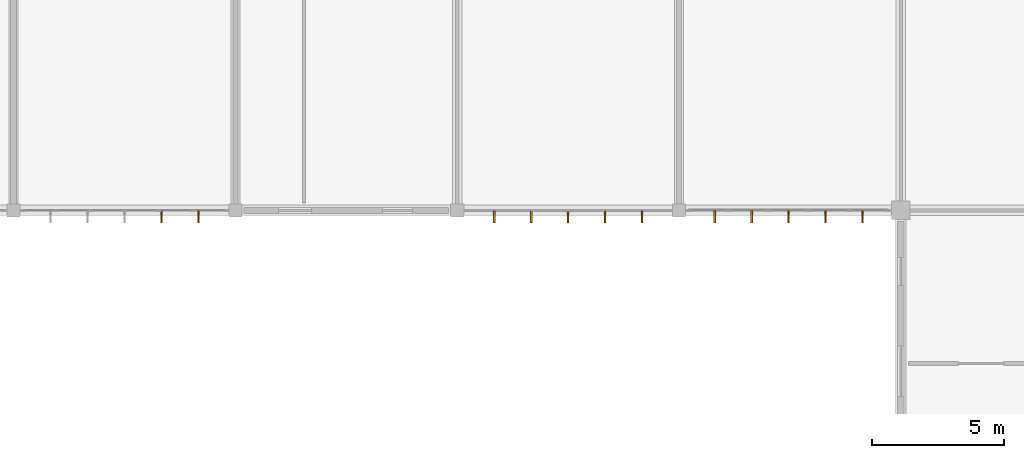
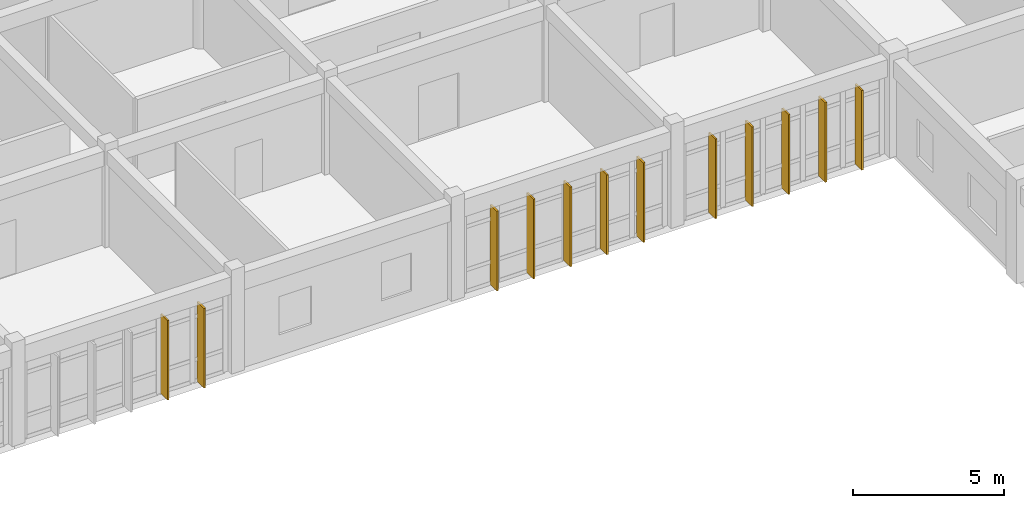
# One storey, part 106 of 119: 12 shading devices.
"""IFC4 building model written with IfcOpenShell, lengths in metres."""

from ifc_helpers import new_model, si_unit, direction, frame, origin, origin_2d, place, context, subcontext, project, spatial, rectangle, extrude, material, material_profile, profile_set, type_object, element, save


model = new_model("IFC4")

# Units and contexts
model_context = context("Model", 3, precision=1e-05, world=origin(), true_north=direction((0.0, 1.0)))
body_context = subcontext(model_context, "Body", "Model", "MODEL_VIEW")
ifc_project = project(units=[si_unit("LENGTHUNIT", "METRE"), si_unit("AREAUNIT", "SQUARE_METRE"), si_unit("VOLUMEUNIT", "CUBIC_METRE"), si_unit("PLANEANGLEUNIT", "RADIAN"), si_unit("MASSUNIT", "GRAM", prefix="KILO")], contexts=[model_context])

# Site, building, storey
site_placement = place(None, origin())
site = spatial("IfcSite", under=ifc_project, at=site_placement, CompositionType="ELEMENT")
building_placement = place(site_placement, origin())
building = spatial("IfcBuilding", under=site, at=building_placement, Name="Bramfleet General Hospital", CompositionType="ELEMENT")
storey_placement = place(building_placement, frame((0.0, 0.0, 14.39990234375)))
storey = spatial("IfcBuildingStorey", under=building, at=storey_placement, Name="L03", CompositionType="ELEMENT", Elevation=14.39990234375)

# Shading devices
ifc_material = material(Name="Treated European larch timber", Category="wood")
ifc_material_profile = material_profile(ifc_material, rectangle(XDim=0.06494140625, YDim=0.449951171875, at=origin_2d()), Name="LARCH FIN 450x65")
ifc_profile_set = profile_set([ifc_material_profile], Name="Treated European larch timber")
shading_device_type = type_object("IfcShadingDeviceType", Name="SHD-FIN-450", PredefinedType="USERDEFINED", material=ifc_profile_set)
for number, where, z_axis, x_axis, name in (
    (1, (90.949951171875, 50.159912109375, -0.02001953125), (0.0, 0.0, 1.0), (-1.0, 0.0, 0.0), "L03 Larch Timber Shading Fin 677"),
    (2, (89.550048828125, 50.159912109375, -0.02001953125), (0.0, 0.0, 1.0), (-1.0, 0.0, 0.0), "L03 Larch Timber Shading Fin 678"),
    (3, (88.14990234375, 50.159912109375, -0.02001953125), (0.0, 0.0, 1.0), (-1.0, 0.0, 0.0), "L03 Larch Timber Shading Fin 679"),
    (4, (86.75, 50.159912109375, -0.02001953125), (0.0, 0.0, 1.0), (-1.0, 0.0, 0.0), "L03 Larch Timber Shading Fin 680"),
    (5, (85.35009765625, 50.159912109375, -0.02001953125), (0.0, 0.0, 1.0), (-1.0, 0.0, 0.0), "L03 Larch Timber Shading Fin 681"),
    (6, (82.60009765625, 50.159912109375, -0.02001953125), (0.0, 0.0, 1.0), (-1.0, 0.0, 0.0), "L03 Larch Timber Shading Fin 682"),
    (7, (81.199951171875, 50.159912109375, -0.02001953125), (0.0, 0.0, 1.0), (-1.0, 0.0, 0.0), "L03 Larch Timber Shading Fin 683"),
    (8, (79.800048828125, 50.159912109375, -0.02001953125), (0.0, 0.0, 1.0), (-1.0, 0.0, 0.0), "L03 Larch Timber Shading Fin 684"),
    (9, (78.39990234375, 50.159912109375, -0.02001953125), (0.0, 0.0, 1.0), (-1.0, 0.0, 0.0), "L03 Larch Timber Shading Fin 685"),
    (10, (77.0, 50.159912109375, -0.02001953125), (0.0, 0.0, 1.0), (-1.0, 0.0, 0.0), "L03 Larch Timber Shading Fin 686"),
    (11, (65.800048828125, 50.159912109375, -0.02001953125), (0.0, 0.0, 1.0), (-1.0, 0.0, 0.0), "L03 Larch Timber Shading Fin 687"),
    (12, (64.39990234375, 50.159912109375, -0.02001953125), (0.0, 0.0, 1.0), (-1.0, 0.0, 0.0), "L03 Larch Timber Shading Fin 688"),
):
    element("IfcShadingDevice", number, at=place(storey_placement, frame(where, z_axis=z_axis, x_axis=x_axis)), inside=storey, type_object=shading_device_type, Name=name, ObjectType="Fin", PredefinedType="USERDEFINED", context=body_context, shape_type="SweptSolid", body=[
        extrude(rectangle(XDim=0.06494140625, YDim=0.449951171875, at=origin_2d()), origin(), (0.0, 0.0, 1.0), 3.22021484375),
    ])

save(model, "model.ifc")
